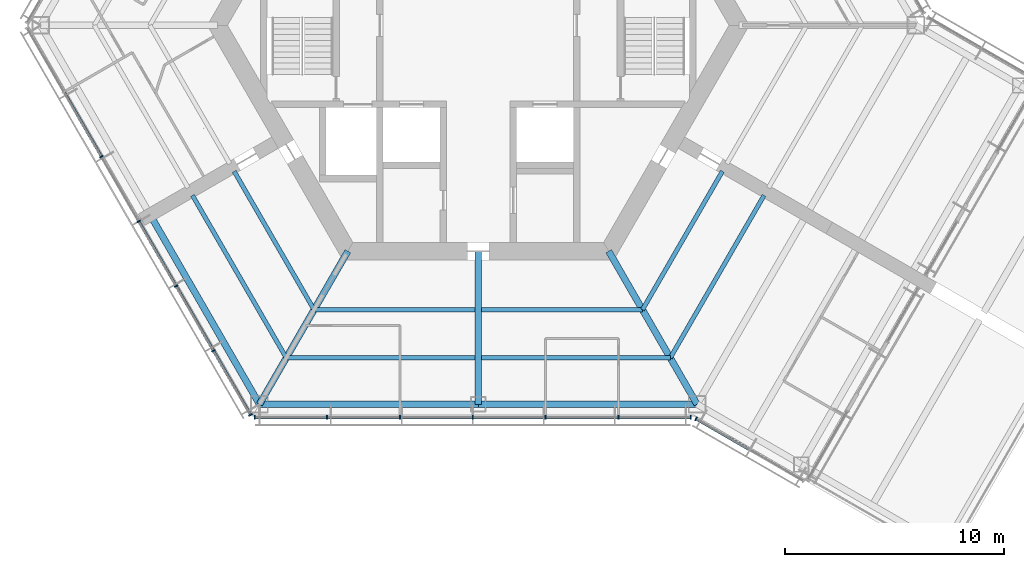
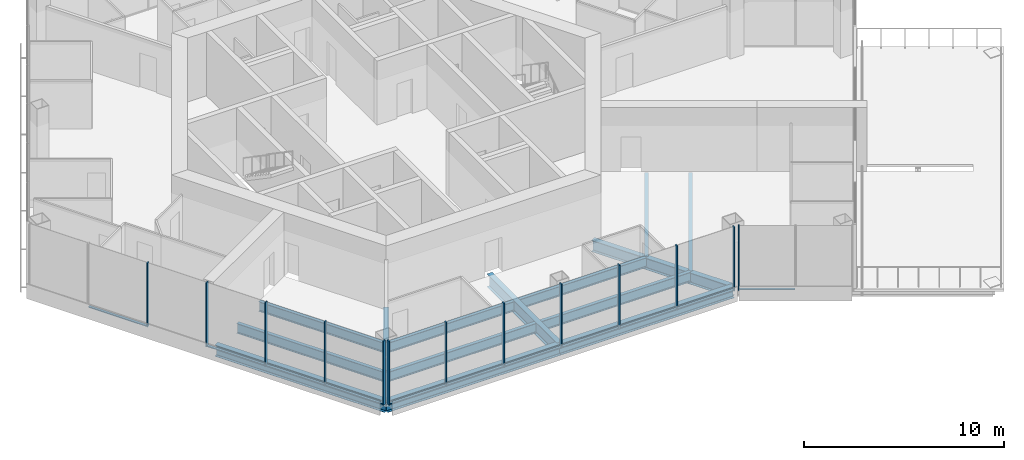
# One storey, part 2 of 13: 24 members, 14 beams, 3 elements without a shape of their own.
"""IFC4 building model written with IfcOpenShell, lengths in metres."""

from ifc_helpers import new_model, si_unit, direction, frame, origin, origin_2d, place, context, subcontext, project, spatial, rectangle, i_section, extrude, material, material_profile, profile_set, type_object, element, aggregate, save


model = new_model("IFC4")

# Units and contexts
model_context = context("Model", 3, precision=1e-05, world=origin(), true_north=direction((0.0, 1.0)))
body_context = subcontext(model_context, "Body", "Model", "MODEL_VIEW")
ifc_project = project(units=[si_unit("LENGTHUNIT", "METRE"), si_unit("AREAUNIT", "SQUARE_METRE"), si_unit("VOLUMEUNIT", "CUBIC_METRE"), si_unit("PLANEANGLEUNIT", "RADIAN"), si_unit("MASSUNIT", "GRAM", prefix="KILO")], contexts=[model_context])

# Site, building, storey
site_placement = place(None, origin())
site = spatial("IfcSite", under=ifc_project, at=site_placement, CompositionType="ELEMENT")
building_placement = place(site_placement, origin())
building = spatial("IfcBuilding", under=site, at=building_placement, Name="Kasaneha Research Tower", CompositionType="ELEMENT")
storey_placement = place(building_placement, frame((0.0, 0.0, 267.39990234375)))
storey = spatial("IfcBuildingStorey", under=building, at=storey_placement, Name="L67", CompositionType="ELEMENT", Elevation=267.39990234375)

# Beams
ifc_material_1 = material(Name="Steel SN490B", Category="steel")
ifc_material_profile_1 = material_profile(ifc_material_1, i_section(OverallWidth=0.199951171875, OverallDepth=0.60009765625, WebThickness=0.010986328125, FlangeThickness=0.01708984375, FilletRadius=0.012939453125, at=origin_2d()), Name="H-600x200x11x17")
ifc_profile_set_1 = profile_set([ifc_material_profile_1], Name="Steel SN490B")
beam_type_1 = type_object("IfcBeamType", Name="B1-3 secondary beam H-600x200x11x17", PredefinedType="JOIST", material=ifc_profile_set_1)
beam_1_placement = place(storey_placement, frame((-7.505615234375, -13.0, -0.449951171875), z_axis=(-0.499999192304, 0.866025870108, 0.0), x_axis=(-0.866025870108, -0.499999192304, 0.0)))
element("IfcBeam", 1, at=beam_1_placement, inside=storey, type_object=beam_type_1, Name="Secondary beam RS210R1 L67", PredefinedType="JOIST", context=body_context, shape_type="SweptSolid", body=[
    extrude(i_section(OverallWidth=0.199951171875, OverallDepth=0.60009765625, WebThickness=0.010986328125, FlangeThickness=0.01708984375, FilletRadius=0.012939453125, at=origin_2d()), origin(), (0.0, 0.0, 1.0), 7.3056640625),
])
beam_2_placement = place(storey_placement, frame((-8.775634765625, -15.199951171875, -0.449951171875), z_axis=(-0.500000102728, 0.866025344474, 0.0), x_axis=(-0.866025344474, -0.500000102728, 0.0)))
element("IfcBeam", 2, at=beam_2_placement, inside=storey, type_object=beam_type_1, Name="Secondary beam RS210R2 L67", PredefinedType="JOIST", context=body_context, shape_type="SweptSolid", body=[
    extrude(i_section(OverallWidth=0.199951171875, OverallDepth=0.60009765625, WebThickness=0.010986328125, FlangeThickness=0.01708984375, FilletRadius=0.012939453125, at=origin_2d()), origin(), (0.0, 0.0, 1.0), 8.57568359375),
])
beam_3_placement = place(storey_placement, frame((-7.505615234375, -13.0, -0.449951171875), z_axis=(1.0, 0.0, 0.0), x_axis=(0.0, 1.0, 0.0)))
element("IfcBeam", 3, at=beam_3_placement, inside=storey, type_object=beam_type_1, Name="Secondary beam RS270L1 L67", PredefinedType="JOIST", context=body_context, shape_type="SweptSolid", body=[
    extrude(i_section(OverallWidth=0.199951171875, OverallDepth=0.60009765625, WebThickness=0.010986328125, FlangeThickness=0.01708984375, FilletRadius=0.012939453125, at=origin_2d()), origin(), (0.0, 0.0, 1.0), 7.355712890625),
])
beam_4_placement = place(storey_placement, frame((-8.775634765625, -15.199951171875, -0.449951171875), z_axis=(1.0, 0.0, 0.0), x_axis=(0.0, 1.0, 0.0)))
element("IfcBeam", 4, at=beam_4_placement, inside=storey, type_object=beam_type_1, Name="Secondary beam RS270L2 L67", PredefinedType="JOIST", context=body_context, shape_type="SweptSolid", body=[
    extrude(i_section(OverallWidth=0.199951171875, OverallDepth=0.60009765625, WebThickness=0.010986328125, FlangeThickness=0.01708984375, FilletRadius=0.012939453125, at=origin_2d()), origin(), (0.0, 0.0, 1.0), 8.625732421875),
])
beam_5_placement = place(storey_placement, frame((7.505615234375, -13.0, -0.449951171875), z_axis=(-1.0, 0.0, 0.0), x_axis=(0.0, -1.0, 0.0)))
element("IfcBeam", 5, at=beam_5_placement, inside=storey, type_object=beam_type_1, Name="Secondary beam RS270R1 L67", PredefinedType="JOIST", context=body_context, shape_type="SweptSolid", body=[
    extrude(i_section(OverallWidth=0.199951171875, OverallDepth=0.60009765625, WebThickness=0.010986328125, FlangeThickness=0.01708984375, FilletRadius=0.012939453125, at=origin_2d()), origin(), (0.0, 0.0, 1.0), 7.355712890625),
])
beam_6_placement = place(storey_placement, frame((8.775634765625, -15.199951171875, -0.449951171875), z_axis=(-1.0, 0.0, 0.0), x_axis=(0.0, -1.0, 0.0)))
element("IfcBeam", 6, at=beam_6_placement, inside=storey, type_object=beam_type_1, Name="Secondary beam RS270R2 L67", PredefinedType="JOIST", context=body_context, shape_type="SweptSolid", body=[
    extrude(i_section(OverallWidth=0.199951171875, OverallDepth=0.60009765625, WebThickness=0.010986328125, FlangeThickness=0.01708984375, FilletRadius=0.012939453125, at=origin_2d()), origin(), (0.0, 0.0, 1.0), 8.625732421875),
])
beam_7_placement = place(storey_placement, frame((7.505615234375, -13.0, -0.449951171875), z_axis=(0.499999192304, 0.866025870108, 0.0), x_axis=(-0.866025870108, 0.499999192304, 0.0)))
element("IfcBeam", 7, at=beam_7_placement, inside=storey, type_object=beam_type_1, Name="Secondary beam RS330L1 L67", PredefinedType="JOIST", context=body_context, shape_type="SweptSolid", body=[
    extrude(i_section(OverallWidth=0.199951171875, OverallDepth=0.60009765625, WebThickness=0.010986328125, FlangeThickness=0.01708984375, FilletRadius=0.012939453125, at=origin_2d()), origin(), (0.0, 0.0, 1.0), 7.3056640625),
])
beam_8_placement = place(storey_placement, frame((8.775634765625, -15.199951171875, -0.449951171875), z_axis=(0.500000102728, 0.866025344474, 0.0), x_axis=(-0.866025344474, 0.500000102728, 0.0)))
element("IfcBeam", 8, at=beam_8_placement, inside=storey, type_object=beam_type_1, Name="Secondary beam RS330L2 L67", PredefinedType="JOIST", context=body_context, shape_type="SweptSolid", body=[
    extrude(i_section(OverallWidth=0.199951171875, OverallDepth=0.60009765625, WebThickness=0.010986328125, FlangeThickness=0.01708984375, FilletRadius=0.012939453125, at=origin_2d()), origin(), (0.0, 0.0, 1.0), 8.57568359375),
])

# Curtain wall, members
ifc_material_2 = material(Name="Glass and aluminium", Category="aluminium")
curtain_wall_type = type_object("IfcCurtainWallType", Name="Crown curtain wall", PredefinedType="USERDEFINED", material=ifc_material_2)
curtain_wall_1_placement = place(storey_placement, origin())
curtain_wall_1 = element("IfcCurtainWall", 9, at=curtain_wall_1_placement, inside=storey, type_object=curtain_wall_type, Name="CW-C L67 run 04a", ObjectType="UNITISED CURTAIN WALL", PredefinedType="USERDEFINED")
ifc_material_3 = material(Name="Aluminium 6063-T6", Category="aluminium")
ifc_material_profile_2 = material_profile(ifc_material_3, rectangle(XDim=0.06005859375, YDim=0.179931640625, at=origin_2d()), Name="CW-C mullion 60x180")
ifc_profile_set_2 = profile_set([ifc_material_profile_2], Name="Aluminium 6063-T6")
member_type_1 = type_object("IfcMemberType", Name="CW-C mullion", PredefinedType="MULLION", material=ifc_profile_set_2)
member_1_placement = place(storey_placement, frame((-17.227294921875, -6.00244140625, 0.0), z_axis=(0.0, 0.0, 1.0), x_axis=(0.499999995722, -0.866025406254, 0.0)))
member_1 = element("IfcMember", 10, at=member_1_placement, type_object=member_type_1, Name="CW-C mullion 3", PredefinedType="MULLION", context=body_context, shape_type="SweptSolid", body=[
    extrude(rectangle(XDim=0.06005859375, YDim=0.179931640625, at=origin_2d()), origin(), (0.0, 0.0, 1.0), 3.900146484375),
])
member_2_placement = place(storey_placement, frame((-15.51953125, -8.960205078125, 0.0), z_axis=(0.0, 0.0, 1.0), x_axis=(0.499999995722, -0.866025406254, 0.0)))
member_2 = element("IfcMember", 11, at=member_2_placement, type_object=member_type_1, Name="CW-C mullion 4", PredefinedType="MULLION", context=body_context, shape_type="SweptSolid", body=[
    extrude(rectangle(XDim=0.06005859375, YDim=0.179931640625, at=origin_2d()), origin(), (0.0, 0.0, 1.0), 3.900146484375),
])
member_3_placement = place(storey_placement, frame((-13.811767578125, -11.918212890625, 0.0), z_axis=(0.0, 0.0, 1.0), x_axis=(0.499999995722, -0.866025406254, 0.0)))
member_3 = element("IfcMember", 12, at=member_3_placement, type_object=member_type_1, Name="CW-C mullion 5", PredefinedType="MULLION", context=body_context, shape_type="SweptSolid", body=[
    extrude(rectangle(XDim=0.06005859375, YDim=0.179931640625, at=origin_2d()), origin(), (0.0, 0.0, 1.0), 3.900146484375),
])
member_4_placement = place(storey_placement, frame((-12.104248046875, -14.8759765625, 0.0), z_axis=(0.0, 0.0, 1.0), x_axis=(0.499999995722, -0.866025406254, 0.0)))
member_4 = element("IfcMember", 13, at=member_4_placement, type_object=member_type_1, Name="CW-C mullion 6", PredefinedType="MULLION", context=body_context, shape_type="SweptSolid", body=[
    extrude(rectangle(XDim=0.06005859375, YDim=0.179931640625, at=origin_2d()), origin(), (0.0, 0.0, 1.0), 3.900146484375),
])
member_5_placement = place(storey_placement, frame((-10.411376953125, -17.807861328125, 0.0), z_axis=(0.0, 0.0, 1.0), x_axis=(0.499999995722, -0.866025406254, 0.0)))
member_5 = element("IfcMember", 14, at=member_5_placement, type_object=member_type_1, Name="CW-C mullion 7", PredefinedType="MULLION", context=body_context, shape_type="SweptSolid", body=[
    extrude(rectangle(XDim=0.06005859375, YDim=0.179931640625, at=origin_2d()), origin(), (0.0, 0.0, 1.0), 3.900146484375),
])

curtain_wall_2_placement = place(storey_placement, origin())
curtain_wall_2 = element("IfcCurtainWall", 15, at=curtain_wall_2_placement, inside=storey, type_object=curtain_wall_type, Name="CW-C L67 run 05a", ObjectType="UNITISED CURTAIN WALL", PredefinedType="USERDEFINED")
member_6_placement = place(storey_placement, frame((-10.21630859375, -17.92041015625, 0.0), z_axis=(0.0, 0.0, 1.0), x_axis=(1.0, 0.0, 0.0)))
member_6 = element("IfcMember", 16, at=member_6_placement, type_object=member_type_1, Name="CW-C mullion 1", PredefinedType="MULLION", context=body_context, shape_type="SweptSolid", body=[
    extrude(rectangle(XDim=0.06005859375, YDim=0.179931640625, at=origin_2d()), origin(), (0.0, 0.0, 1.0), 3.900146484375),
])
member_7_placement = place(storey_placement, frame((-6.91552734375, -17.92041015625, 0.0), z_axis=(0.0, 0.0, 1.0), x_axis=(1.0, 0.0, 0.0)))
member_7 = element("IfcMember", 17, at=member_7_placement, type_object=member_type_1, Name="CW-C mullion 2", PredefinedType="MULLION", context=body_context, shape_type="SweptSolid", body=[
    extrude(rectangle(XDim=0.06005859375, YDim=0.179931640625, at=origin_2d()), origin(), (0.0, 0.0, 1.0), 3.900146484375),
])
member_8_placement = place(storey_placement, frame((-3.58447265625, -17.92041015625, 0.0), z_axis=(0.0, 0.0, 1.0), x_axis=(1.0, 0.0, 0.0)))
member_8 = element("IfcMember", 18, at=member_8_placement, type_object=member_type_1, Name="CW-C mullion 3", PredefinedType="MULLION", context=body_context, shape_type="SweptSolid", body=[
    extrude(rectangle(XDim=0.06005859375, YDim=0.179931640625, at=origin_2d()), origin(), (0.0, 0.0, 1.0), 3.900146484375),
])
member_9_placement = place(storey_placement, frame((-0.253662109375, -17.92041015625, 0.0), z_axis=(0.0, 0.0, 1.0), x_axis=(1.0, 0.0, 0.0)))
member_9 = element("IfcMember", 19, at=member_9_placement, type_object=member_type_1, Name="CW-C mullion 4", PredefinedType="MULLION", context=body_context, shape_type="SweptSolid", body=[
    extrude(rectangle(XDim=0.06005859375, YDim=0.179931640625, at=origin_2d()), origin(), (0.0, 0.0, 1.0), 3.900146484375),
])
member_10_placement = place(storey_placement, frame((3.077392578125, -17.92041015625, 0.0), z_axis=(0.0, 0.0, 1.0), x_axis=(1.0, 0.0, 0.0)))
member_10 = element("IfcMember", 20, at=member_10_placement, type_object=member_type_1, Name="CW-C mullion 5", PredefinedType="MULLION", context=body_context, shape_type="SweptSolid", body=[
    extrude(rectangle(XDim=0.06005859375, YDim=0.179931640625, at=origin_2d()), origin(), (0.0, 0.0, 1.0), 3.900146484375),
])
member_11_placement = place(storey_placement, frame((6.408203125, -17.92041015625, 0.0), z_axis=(0.0, 0.0, 1.0), x_axis=(1.0, 0.0, 0.0)))
member_11 = element("IfcMember", 21, at=member_11_placement, type_object=member_type_1, Name="CW-C mullion 6", PredefinedType="MULLION", context=body_context, shape_type="SweptSolid", body=[
    extrude(rectangle(XDim=0.06005859375, YDim=0.179931640625, at=origin_2d()), origin(), (0.0, 0.0, 1.0), 3.900146484375),
])
member_12_placement = place(storey_placement, frame((9.709228515625, -17.92041015625, 0.0), z_axis=(0.0, 0.0, 1.0), x_axis=(1.0, 0.0, 0.0)))
member_12 = element("IfcMember", 22, at=member_12_placement, type_object=member_type_1, Name="CW-C mullion 7", PredefinedType="MULLION", context=body_context, shape_type="SweptSolid", body=[
    extrude(rectangle(XDim=0.06005859375, YDim=0.179931640625, at=origin_2d()), origin(), (0.0, 0.0, 1.0), 3.900146484375),
])

# Curtain wall, member
curtain_wall_3_placement = place(storey_placement, origin())
curtain_wall_3 = element("IfcCurtainWall", 23, at=curtain_wall_3_placement, inside=storey, type_object=curtain_wall_type, Name="CW-C L67 run 06a", ObjectType="UNITISED CURTAIN WALL", PredefinedType="USERDEFINED")
member_13_placement = place(storey_placement, frame((9.951904296875, -17.985595703125, 0.0), z_axis=(0.0, 0.0, 1.0), x_axis=(0.866025443395, -0.499999931393, 0.0)))
member_13 = element("IfcMember", 24, at=member_13_placement, type_object=member_type_1, Name="CW-C mullion 1", PredefinedType="MULLION", context=body_context, shape_type="SweptSolid", body=[
    extrude(rectangle(XDim=0.06005859375, YDim=0.179931640625, at=origin_2d()), origin(), (0.0, 0.0, 1.0), 3.900146484375),
])

# Member
ifc_material_4 = material(Name="Aluminium 6063-T6", Category="aluminium")
ifc_material_profile_3 = material_profile(ifc_material_4, rectangle(XDim=0.1298828125, YDim=0.06005859375, at=origin_2d()), Name="CW-C transom 130x60")
ifc_profile_set_3 = profile_set([ifc_material_profile_3], Name="Aluminium 6063-T6")
member_type_2 = type_object("IfcMemberType", Name="CW-C transom", PredefinedType="USERDEFINED", material=ifc_profile_set_3)
member_14_placement = place(storey_placement, frame((-18.920166015625, -3.070556640625, 0.030029296875), z_axis=(0.500020578564, -0.866013522419, 0.0), x_axis=(0.866013522419, 0.500020578564, 0.0)))
member_14 = element("IfcMember", 25, at=member_14_placement, type_object=member_type_2, Name="CW-C transom 2", ObjectType="TRANSOM", PredefinedType="USERDEFINED", context=body_context, shape_type="SweptSolid", body=[
    extrude(rectangle(XDim=0.1298828125, YDim=0.06005859375, at=origin_2d()), origin(), (0.0, 0.0, 1.0), 3.355224609375),
])

member_15_placement = place(storey_placement, frame((-15.504638671875, -8.986328125, 0.030029296875), z_axis=(0.500020578564, -0.866013522419, 0.0), x_axis=(0.866013522419, 0.500020578564, 0.0)))
member_15 = element("IfcMember", 26, at=member_15_placement, type_object=member_type_2, Name="CW-C transom 4", ObjectType="TRANSOM", PredefinedType="USERDEFINED", context=body_context, shape_type="SweptSolid", body=[
    extrude(rectangle(XDim=0.1298828125, YDim=0.06005859375, at=origin_2d()), origin(), (0.0, 0.0, 1.0), 3.355224609375),
])

member_16_placement = place(storey_placement, frame((-13.796875, -11.944091796875, 0.030029296875), z_axis=(0.499989072476, -0.866031712701, 0.0), x_axis=(0.866031712701, 0.499989072476, 0.0)))
member_16 = element("IfcMember", 27, at=member_16_placement, type_object=member_type_2, Name="CW-C transom 5", ObjectType="TRANSOM", PredefinedType="USERDEFINED", context=body_context, shape_type="SweptSolid", body=[
    extrude(rectangle(XDim=0.1298828125, YDim=0.06005859375, at=origin_2d()), origin(), (0.0, 0.0, 1.0), 3.35546875),
])

member_17_placement = place(storey_placement, frame((-12.089111328125, -14.902099609375, 0.030029296875), z_axis=(0.49997666526, -0.866038875684, 0.0), x_axis=(0.866038875684, 0.49997666526, 0.0)))
member_17 = element("IfcMember", 28, at=member_17_placement, type_object=member_type_2, Name="CW-C transom 6", ObjectType="TRANSOM", PredefinedType="USERDEFINED", context=body_context, shape_type="SweptSolid", body=[
    extrude(rectangle(XDim=0.1298828125, YDim=0.06005859375, at=origin_2d()), origin(), (0.0, 0.0, 1.0), 3.325439453125),
])

aggregate(curtain_wall_1, [member_1, member_2, member_3, member_4, member_5, member_14, member_15, member_16, member_17])

member_18_placement = place(storey_placement, frame((-10.1865234375, -17.92041015625, 0.030029296875), z_axis=(1.0, 0.0, 0.0), x_axis=(0.0, 1.0, 0.0)))
member_18 = element("IfcMember", 29, at=member_18_placement, type_object=member_type_2, Name="CW-C transom 1", ObjectType="TRANSOM", PredefinedType="USERDEFINED", context=body_context, shape_type="SweptSolid", body=[
    extrude(rectangle(XDim=0.1298828125, YDim=0.06005859375, at=origin_2d()), origin(), (0.0, 0.0, 1.0), 3.240966796875),
])

member_19_placement = place(storey_placement, frame((-6.885498046875, -17.92041015625, 0.030029296875), z_axis=(1.0, 0.0, 0.0), x_axis=(0.0, 1.0, 0.0)))
member_19 = element("IfcMember", 30, at=member_19_placement, type_object=member_type_2, Name="CW-C transom 2", ObjectType="TRANSOM", PredefinedType="USERDEFINED", context=body_context, shape_type="SweptSolid", body=[
    extrude(rectangle(XDim=0.1298828125, YDim=0.06005859375, at=origin_2d()), origin(), (0.0, 0.0, 1.0), 3.27099609375),
])

member_20_placement = place(storey_placement, frame((-3.554443359375, -17.92041015625, 0.030029296875), z_axis=(1.0, 0.0, 0.0), x_axis=(0.0, 1.0, 0.0)))
member_20 = element("IfcMember", 31, at=member_20_placement, type_object=member_type_2, Name="CW-C transom 3", ObjectType="TRANSOM", PredefinedType="USERDEFINED", context=body_context, shape_type="SweptSolid", body=[
    extrude(rectangle(XDim=0.1298828125, YDim=0.06005859375, at=origin_2d()), origin(), (0.0, 0.0, 1.0), 3.270751953125),
])

member_21_placement = place(storey_placement, frame((-0.2236328125, -17.92041015625, 0.030029296875), z_axis=(1.0, 0.0, 0.0), x_axis=(0.0, 1.0, 0.0)))
member_21 = element("IfcMember", 32, at=member_21_placement, type_object=member_type_2, Name="CW-C transom 4", ObjectType="TRANSOM", PredefinedType="USERDEFINED", context=body_context, shape_type="SweptSolid", body=[
    extrude(rectangle(XDim=0.1298828125, YDim=0.06005859375, at=origin_2d()), origin(), (0.0, 0.0, 1.0), 3.27099609375),
])

member_22_placement = place(storey_placement, frame((3.107421875, -17.92041015625, 0.030029296875), z_axis=(1.0, 0.0, 0.0), x_axis=(0.0, 1.0, 0.0)))
member_22 = element("IfcMember", 33, at=member_22_placement, type_object=member_type_2, Name="CW-C transom 5", ObjectType="TRANSOM", PredefinedType="USERDEFINED", context=body_context, shape_type="SweptSolid", body=[
    extrude(rectangle(XDim=0.1298828125, YDim=0.06005859375, at=origin_2d()), origin(), (0.0, 0.0, 1.0), 3.270751953125),
])

member_23_placement = place(storey_placement, frame((6.438232421875, -17.92041015625, 0.030029296875), z_axis=(1.0, 0.0, 0.0), x_axis=(0.0, 1.0, 0.0)))
member_23 = element("IfcMember", 34, at=member_23_placement, type_object=member_type_2, Name="CW-C transom 6", ObjectType="TRANSOM", PredefinedType="USERDEFINED", context=body_context, shape_type="SweptSolid", body=[
    extrude(rectangle(XDim=0.1298828125, YDim=0.06005859375, at=origin_2d()), origin(), (0.0, 0.0, 1.0), 3.240966796875),
])

aggregate(curtain_wall_2, [member_6, member_7, member_8, member_9, member_10, member_11, member_12, member_18, member_19, member_20, member_21, member_22, member_23])

member_24_placement = place(storey_placement, frame((9.977783203125, -18.00048828125, 0.030029296875), z_axis=(0.866012991964, -0.500021497287, 0.0), x_axis=(0.500021497287, 0.866012991964, 0.0)))
member_24 = element("IfcMember", 35, at=member_24_placement, type_object=member_type_2, Name="CW-C transom 1", ObjectType="TRANSOM", PredefinedType="USERDEFINED", context=body_context, shape_type="SweptSolid", body=[
    extrude(rectangle(XDim=0.1298828125, YDim=0.06005859375, at=origin_2d()), origin(), (0.0, 0.0, 1.0), 2.77978515625),
])

aggregate(curtain_wall_3, [member_13, member_24])

# Beams
ifc_material_5 = material(Name="Steel SN490B", Category="steel")
ifc_material_profile_4 = material_profile(ifc_material_5, i_section(OverallWidth=0.300048828125, OverallDepth=0.699951171875, WebThickness=0.012939453125, FlangeThickness=0.02392578125, FilletRadius=0.01806640625, at=origin_2d()), Name="H-700x300x13x24")
ifc_profile_set_4 = profile_set([ifc_material_profile_4], Name="Steel SN490B")
beam_type_2 = type_object("IfcBeamType", Name="G1-3 radial girder H-700x300x13x24", PredefinedType="BEAM", material=ifc_profile_set_4)
for number, where, z_axis, x_axis, name in (
    (36, (-5.961181640625, -10.324951171875, -0.5), (-0.49999105496, -0.866030568144, 0.0), (0.866030568144, -0.49999105496, 0.0), "Radial girder RV240 L67"),
    (37, (5.961181640625, -10.324951171875, -0.5), (0.49999105496, -0.866030568144, 0.0), (0.866030568144, 0.49999105496, 0.0), "Radial girder RV300 L67"),
):
    element("IfcBeam", number, at=place(storey_placement, frame(where, z_axis=z_axis, x_axis=x_axis)), inside=storey, type_object=beam_type_2, Name=name, PredefinedType="BEAM", context=body_context, shape_type="SweptSolid", body=[
        extrude(i_section(OverallWidth=0.300048828125, OverallDepth=0.699951171875, WebThickness=0.012939453125, FlangeThickness=0.02392578125, FilletRadius=0.01806640625, at=origin_2d()), origin(), (0.0, 0.0, 1.0), 8.077880859375),
    ])
ifc_material_6 = material(Name="Steel SN490B", Category="steel")
ifc_material_profile_5 = material_profile(ifc_material_6, i_section(OverallWidth=0.300048828125, OverallDepth=0.800048828125, WebThickness=0.013916015625, FlangeThickness=0.02587890625, FilletRadius=0.01806640625, at=origin_2d()), Name="H-800x300x14x26")
ifc_profile_set_5 = profile_set([ifc_material_profile_5], Name="Steel SN490B")
beam_type_3 = type_object("IfcBeamType", Name="G2-3 radial girder H-800x300x14x26", PredefinedType="BEAM", material=ifc_profile_set_5)
beam_9_placement = place(storey_placement, frame((0.0, -10.324951171875, -0.5498046875), z_axis=(0.0, -1.0, 0.0), x_axis=(1.0, 0.0, 0.0)))
element("IfcBeam", 38, at=beam_9_placement, inside=storey, type_object=beam_type_3, Name="Radial girder RM270 L67", PredefinedType="BEAM", context=body_context, shape_type="SweptSolid", body=[
    extrude(i_section(OverallWidth=0.300048828125, OverallDepth=0.800048828125, WebThickness=0.013916015625, FlangeThickness=0.02587890625, FilletRadius=0.01806640625, at=origin_2d()), origin(), (0.0, 0.0, 1.0), 6.99560546875),
])
ifc_material_7 = material(Name="Steel SN490B", Category="steel")
ifc_material_profile_6 = material_profile(ifc_material_7, i_section(OverallWidth=0.300048828125, OverallDepth=0.69189453125, WebThickness=0.012939453125, FlangeThickness=0.02001953125, FilletRadius=0.01806640625, at=origin_2d()), Name="H-692x300x13x20")
ifc_profile_set_6 = profile_set([ifc_material_profile_6], Name="Steel SN490B")
beam_type_4 = type_object("IfcBeamType", Name="G3-3 plate edge girder H-692x300x13x20", PredefinedType="BEAM", material=ifc_profile_set_6)
beam_10_placement = place(storey_placement, frame((-10.0, -17.320556640625, -0.495849609375), z_axis=(-0.49999201416, 0.866030014362, 0.0), x_axis=(-0.866030014362, -0.49999201416, 0.0)))
element("IfcBeam", 39, at=beam_10_placement, inside=storey, type_object=beam_type_4, Name="Plate edge girder PEBN L67", PredefinedType="BEAM", context=body_context, shape_type="SweptSolid", body=[
    extrude(i_section(OverallWidth=0.300048828125, OverallDepth=0.69189453125, WebThickness=0.012939453125, FlangeThickness=0.02001953125, FilletRadius=0.01806640625, at=origin_2d()), origin(), (0.0, 0.0, 1.0), 9.800048828125),
])
ifc_material_8 = material(Name="Steel SN490B", Category="steel")
ifc_material_profile_7 = material_profile(ifc_material_8, i_section(OverallWidth=0.300048828125, OverallDepth=0.69189453125, WebThickness=0.012939453125, FlangeThickness=0.02001953125, FilletRadius=0.01806640625, at=origin_2d()), Name="H-692x300x13x20")
ifc_profile_set_7 = profile_set([ifc_material_profile_7], Name="Steel SN490B")
beam_type_5 = type_object("IfcBeamType", Name="SB1-3 spandrel beam H-692x300x13x20", PredefinedType="SPANDREL", material=ifc_profile_set_7)
for number, where, z_axis, x_axis, name in (
    (40, (-10.0, -17.320556640625, -0.495849609375), (1.0, 0.0, 0.0), (0.0, 1.0, 0.0), "Spandrel beam SR270L L67"),
    (41, (10.0, -17.320556640625, -0.495849609375), (-1.0, 0.0, 0.0), (0.0, -1.0, 0.0), "Spandrel beam SR270R L67"),
):
    element("IfcBeam", number, at=place(storey_placement, frame(where, z_axis=z_axis, x_axis=x_axis)), inside=storey, type_object=beam_type_5, Name=name, PredefinedType="SPANDREL", context=body_context, shape_type="SweptSolid", body=[
        extrude(i_section(OverallWidth=0.300048828125, OverallDepth=0.69189453125, WebThickness=0.012939453125, FlangeThickness=0.02001953125, FilletRadius=0.01806640625, at=origin_2d()), origin(), (0.0, 0.0, 1.0), 10.0),
    ])

save(model, "model.ifc")
